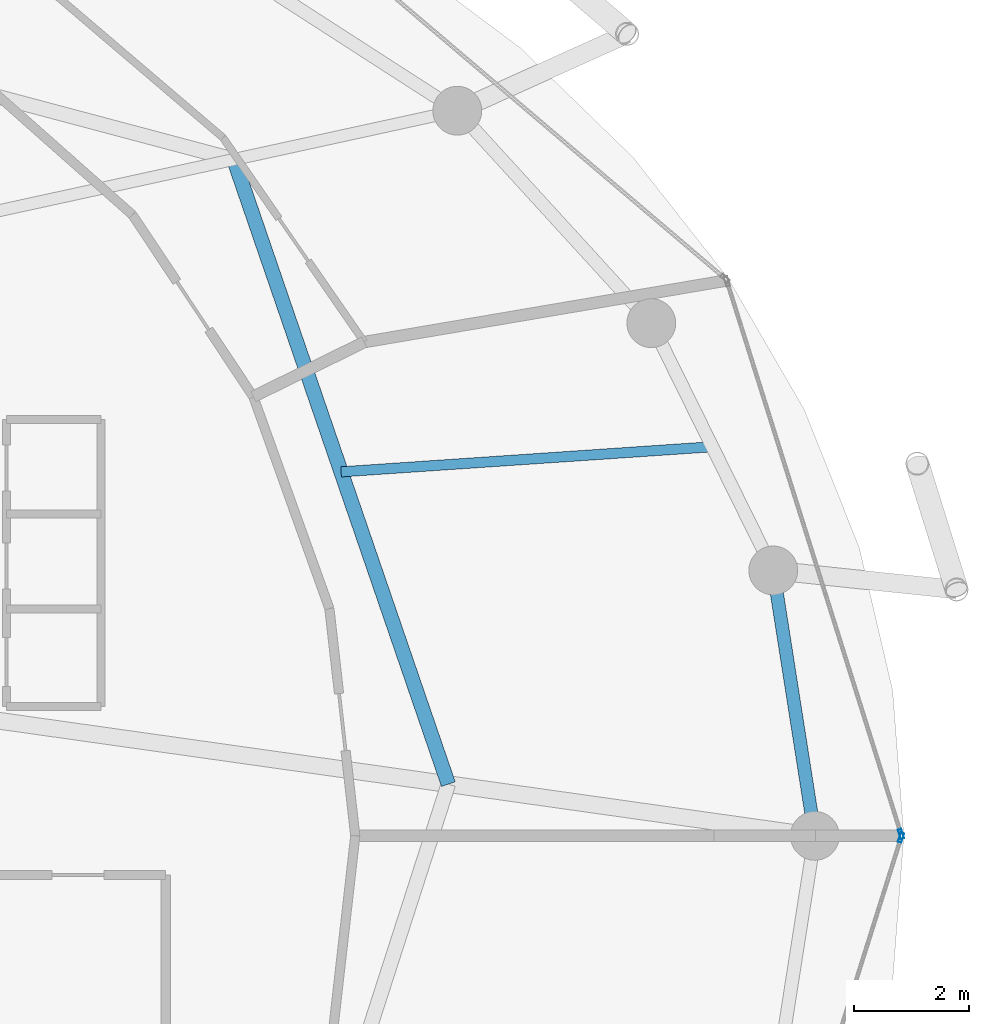
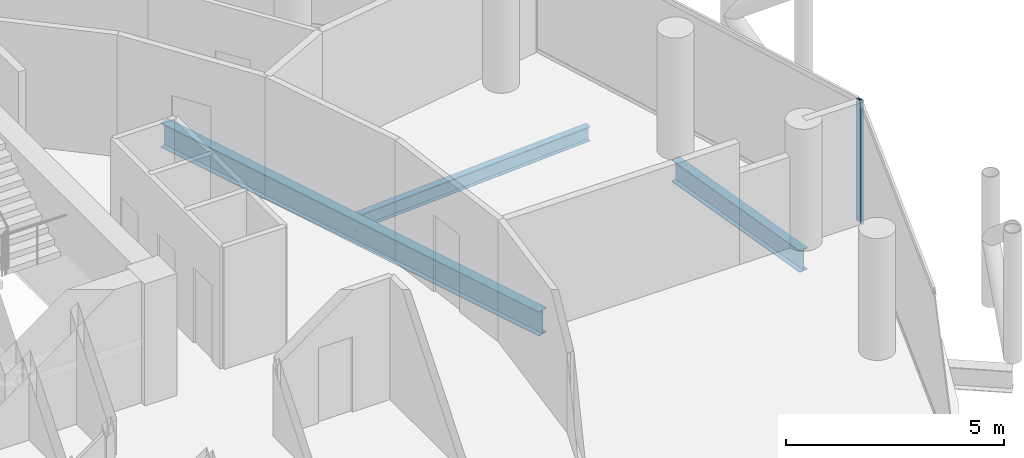
# One storey, part 15 of 27: 3 beams, 2 members, 2 elements without a shape of their own.
"""IFC4 building model written with IfcOpenShell, lengths in metres."""

from ifc_helpers import new_model, si_unit, direction, frame, origin, origin_2d, place, context, subcontext, project, spatial, hollow_rectangle, i_section, extrude, material, layer, layer_set, material_profile, profile_set, type_object, element, aggregate, save


model = new_model("IFC4")

# Units and contexts
model_context = context("Model", 3, precision=1e-05, world=origin(), true_north=direction((0.0, 1.0)))
body_context = subcontext(model_context, "Body", "Model", "MODEL_VIEW")
ifc_project = project(units=[si_unit("LENGTHUNIT", "METRE"), si_unit("AREAUNIT", "SQUARE_METRE"), si_unit("VOLUMEUNIT", "CUBIC_METRE"), si_unit("PLANEANGLEUNIT", "RADIAN"), si_unit("MASSUNIT", "GRAM", prefix="KILO")], contexts=[model_context])

# Site, building, storey
site_placement = place(None, origin())
site = spatial("IfcSite", under=ifc_project, at=site_placement, CompositionType="ELEMENT")
building_placement = place(site_placement, origin())
building = spatial("IfcBuilding", under=site, at=building_placement, Name="Nuhasar Tower", CompositionType="ELEMENT")
storey_placement = place(building_placement, frame((0.0, 0.0, 237.35009765625)))
storey = spatial("IfcBuildingStorey", under=building, at=storey_placement, Name="L58", CompositionType="ELEMENT", Elevation=237.35009765625)

# Beams
ifc_material_1 = material(Name="Steel S355", Category="steel")
ifc_material_profile_1 = material_profile(ifc_material_1, i_section(OverallWidth=0.25390625, OverallDepth=0.68408203125, WebThickness=0.012451171875, FlangeThickness=0.018798828125, at=origin_2d()), Name="W27X94")
ifc_profile_set_1 = profile_set([ifc_material_profile_1], Name="Steel S355")
beam_type_1 = type_object("IfcBeamType", Name="BM-INRING-W27X94", PredefinedType="BEAM", material=ifc_profile_set_1)
beam_1_placement = place(storey_placement, frame((53.8701171875, 27.699951171875, -0.58203125), z_axis=(-0.324809117642, 0.945779592239, 0.0), x_axis=(-0.945779592239, -0.324809117642, 0.0)))
element("IfcBeam", 1, at=beam_1_placement, inside=storey, type_object=beam_type_1, Name="L58 Inner Header Beam 04", PredefinedType="BEAM", context=body_context, shape_type="SweptSolid", body=[
    extrude(i_section(OverallWidth=0.25390625, OverallDepth=0.68408203125, WebThickness=0.012451171875, FlangeThickness=0.018798828125, at=origin_2d()), origin(), (0.0, 0.0, 1.0), 11.496337890625),
])
ifc_material_profile_2 = material_profile(ifc_material_1, i_section(OverallWidth=0.177978515625, OverallDepth=0.406005859375, WebThickness=0.0078125, FlangeThickness=0.0126953125, at=origin_2d()), Name="W16X40")
ifc_profile_set_2 = profile_set([ifc_material_profile_2], Name="Steel S355")
beam_type_2 = type_object("IfcBeamType", Name="BM-JST-W16X40", PredefinedType="JOIST", material=ifc_profile_set_2)
beam_2_placement = place(storey_placement, frame((52.0029296875, 33.135986328125, -0.443115234375), z_axis=(0.997721156568, 0.067472170095, 0.0), x_axis=(-0.067472170095, 0.997721156568, 0.0)))
element("IfcBeam", 2, at=beam_2_placement, inside=storey, type_object=beam_type_2, Name="L58 Secondary Floor Joist 04", PredefinedType="JOIST", context=body_context, shape_type="SweptSolid", body=[
    extrude(i_section(OverallWidth=0.177978515625, OverallDepth=0.406005859375, WebThickness=0.0078125, FlangeThickness=0.0126953125, at=origin_2d()), origin(), (0.0, 0.0, 1.0), 6.476806640625),
])
ifc_material_profile_3 = material_profile(ifc_material_1, i_section(OverallWidth=0.22802734375, OverallDepth=0.60791015625, WebThickness=0.01123046875, FlangeThickness=0.017333984375, at=origin_2d()), Name="W24X76")
ifc_profile_set_3 = profile_set([ifc_material_profile_3], Name="Steel S355")
beam_type_3 = type_object("IfcBeamType", Name="BM-RING-W24X76", PredefinedType="SPANDREL", material=ifc_profile_set_3)
beam_3_placement = place(storey_placement, frame((60.25, 26.800048828125, -0.544189453125), z_axis=(-0.154849872935, 0.987938012657, 0.0), x_axis=(-0.987938012657, -0.154849872935, 0.0)))
element("IfcBeam", 3, at=beam_3_placement, inside=storey, type_object=beam_type_3, Name="L58 Perimeter Ring Spandrel 01", PredefinedType="SPANDREL", context=body_context, shape_type="SweptSolid", body=[
    extrude(i_section(OverallWidth=0.22802734375, OverallDepth=0.60791015625, WebThickness=0.01123046875, FlangeThickness=0.017333984375, at=origin_2d()), origin(), (0.0, 0.0, 1.0), 4.67626953125),
])

# Curtain wall, member
ifc_material_2 = material(Name="Aluminium 6063-T6", Category="aluminium")
ifc_layer = layer(ifc_material_2, 0.18994140625)
ifc_layer_set = layer_set([ifc_layer], Name="Aluminium 6063-T6")
curtain_wall_type = type_object("IfcCurtainWallType", Name="CW-Z3-RES", PredefinedType="NOTDEFINED", material=ifc_layer_set)
curtain_wall_1_placement = place(storey_placement, origin())
curtain_wall_1 = element("IfcCurtainWall", 4, at=curtain_wall_1_placement, inside=storey, type_object=curtain_wall_type, Name="L58 Unitised Curtain Wall 01", PredefinedType="NOTDEFINED")
ifc_material_profile_4 = material_profile(ifc_material_2, hollow_rectangle(XDim=0.06494140625, YDim=0.169921875, WallThickness=0.0048828125, at=origin_2d()), Name="CWM-4")
ifc_profile_set_4 = profile_set([ifc_material_profile_4], Name="Aluminium 6063-T6")
member_type = type_object("IfcMemberType", Name="CW-MUL-S4", PredefinedType="MULLION", material=ifc_profile_set_4)
member_1_placement = place(storey_placement, frame((61.750244140625, 26.8310546875, 0.0), z_axis=(0.0, 0.0, 1.0), x_axis=(-0.95380429279, -0.30042864553, 0.0)))
member_1 = element("IfcMember", 5, at=member_1_placement, type_object=member_type, Name="CW-Z3 mullion 1", PredefinedType="MULLION", context=body_context, shape_type="SweptSolid", body=[
    extrude(hollow_rectangle(XDim=0.06494140625, YDim=0.169921875, WallThickness=0.0048828125, at=origin_2d()), origin(), (0.0, 0.0, 1.0), 3.409912109375),
])
aggregate(curtain_wall_1, [member_1])

curtain_wall_2_placement = place(storey_placement, origin())
curtain_wall_2 = element("IfcCurtainWall", 6, at=curtain_wall_2_placement, inside=storey, type_object=curtain_wall_type, Name="L58 Unitised Curtain Wall 12", PredefinedType="NOTDEFINED")
member_2_placement = place(storey_placement, frame((61.750244140625, 26.76904296875, 0.0), z_axis=(0.0, 0.0, 1.0), x_axis=(-0.95380429279, 0.30042864553, 0.0)))
member_2 = element("IfcMember", 7, at=member_2_placement, type_object=member_type, Name="CW-Z3 mullion 2", PredefinedType="MULLION", context=body_context, shape_type="SweptSolid", body=[
    extrude(hollow_rectangle(XDim=0.06494140625, YDim=0.169921875, WallThickness=0.0048828125, at=origin_2d()), origin(), (0.0, 0.0, 1.0), 3.409912109375),
])
aggregate(curtain_wall_2, [member_2])

save(model, "model.ifc")
